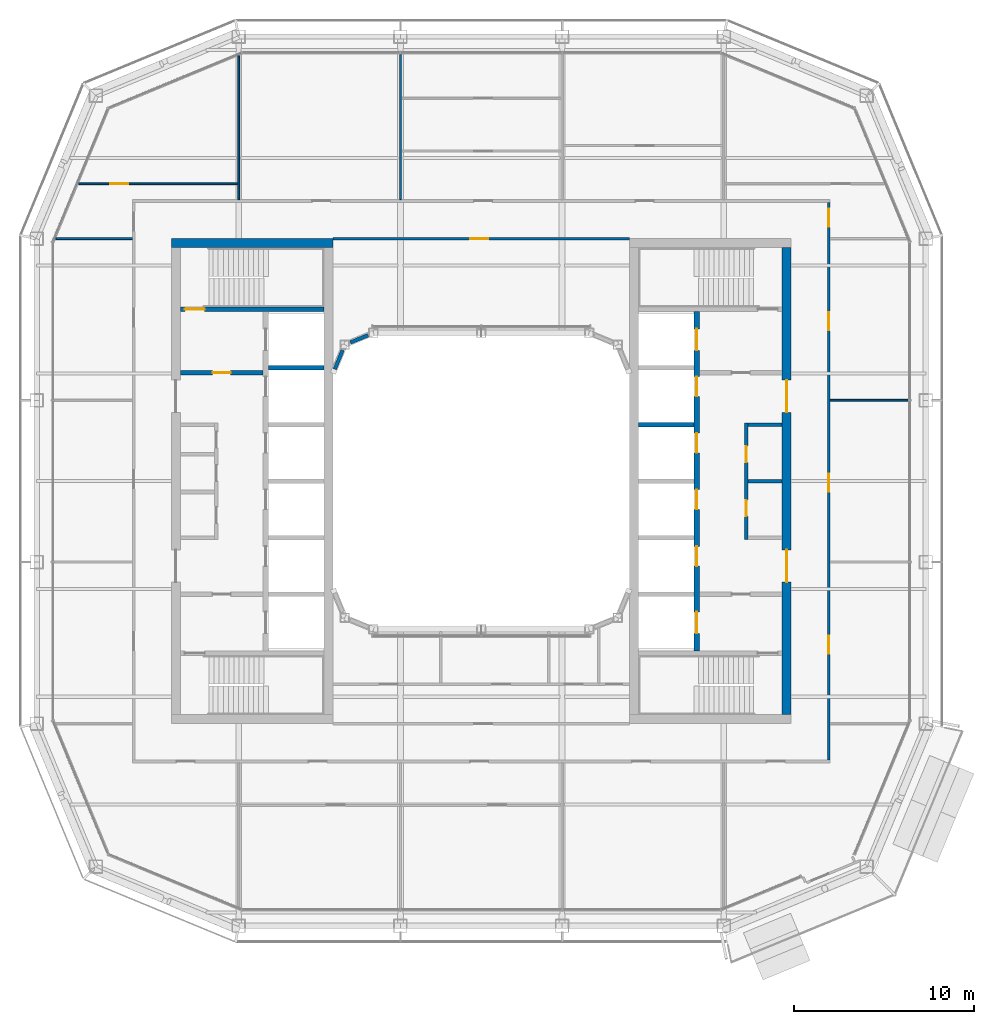
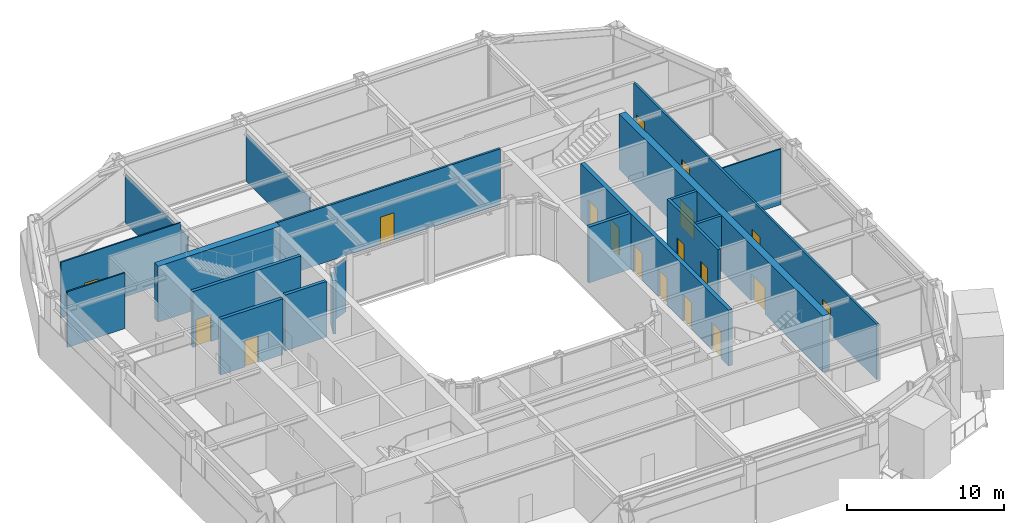
# One storey, part 12 of 21: 19 walls, 18 doors, 18 openings.
"""IFC4 building model written with IfcOpenShell, lengths in metres."""

from ifc_helpers import new_model, si_unit, direction, frame, frame_2d, origin, place, context, subcontext, project, spatial, rectangle, extrude, material, layer, layer_set, type_object, element, fill, save


model = new_model("IFC4")

# Units and contexts
model_context = context("Model", 3, precision=1e-05, world=origin(), true_north=direction((0.0, 1.0)))
body_context = subcontext(model_context, "Body", "Model", "MODEL_VIEW")
ifc_project = project(units=[si_unit("LENGTHUNIT", "METRE"), si_unit("AREAUNIT", "SQUARE_METRE"), si_unit("VOLUMEUNIT", "CUBIC_METRE"), si_unit("PLANEANGLEUNIT", "RADIAN"), si_unit("MASSUNIT", "GRAM", prefix="KILO")], contexts=[model_context])

# Site, building, storey
site_placement = place(None, origin())
site = spatial("IfcSite", under=ifc_project, at=site_placement, CompositionType="ELEMENT")
building_placement = place(site_placement, origin())
building = spatial("IfcBuilding", under=site, at=building_placement, Name="Siwar Civic Tower", CompositionType="ELEMENT")
storey_placement = place(building_placement, frame((0.0, 0.0, 303.199951171875)))
storey = spatial("IfcBuildingStorey", under=building, at=storey_placement, Name="L65", CompositionType="ELEMENT", Elevation=303.199951171875)

# Wall, openings, doors
ifc_material_1 = material(Name="Gypsum board on steel studs", Category="steel")
ifc_layer_1 = layer(ifc_material_1, 0.199951171875)
ifc_layer_set_1 = layer_set([ifc_layer_1], Name="Gypsum board on steel studs")
wall_type_1 = type_object("IfcWallType", Name="CORE-PARTITION-200", PredefinedType="PARTITIONING", material=ifc_layer_set_1)
wall_1_placement = place(storey_placement, frame((14.75, -3.25, 0.0), z_axis=(0.0, 0.0, 1.0), x_axis=(0.0, 1.0, 0.0)))
wall_1 = element("IfcWall", 1, at=wall_1_placement, inside=storey, type_object=wall_type_1, Name="Core partition E", PredefinedType="PARTITIONING", context=body_context, shape_type="SweptSolid", body=[
    extrude(rectangle(XDim=6.5, YDim=0.199951171875, at=frame_2d((3.25, 0.0))), origin(), (0.0, 0.0, 1.0), 4.35009765625),
])
opening_1_placement = place(wall_1_placement, frame((1.300048828125, 0.0, 0.0)))
opening_1 = element("IfcOpeningElement", 2, at=opening_1_placement, cuts=wall_1, Name="Opening L65-CE13", PredefinedType="OPENING", context=body_context, shape_type="SweptSolid", body=[
    extrude(rectangle(XDim=0.89990234375, YDim=2.10009765625, at=frame_2d((0.449951171875, 1.050048828125))), frame((0.0, 0.10986328125, 0.0), z_axis=(0.0, -1.0, 0.0), x_axis=(1.0, 0.0, 0.0)), (0.0, 0.0, 1.0), 0.219970703125),
])
opening_2_placement = place(wall_1_placement, frame((4.300048828125, 0.0, 0.0)))
opening_2 = element("IfcOpeningElement", 3, at=opening_2_placement, cuts=wall_1, Name="Opening L65-CE14", PredefinedType="OPENING", context=body_context, shape_type="SweptSolid", body=[
    extrude(rectangle(XDim=0.89990234375, YDim=2.10009765625, at=frame_2d((0.449951171875, 1.050048828125))), frame((0.0, 0.10986328125, 0.0), z_axis=(0.0, -1.0, 0.0), x_axis=(1.0, 0.0, 0.0)), (0.0, 0.0, 1.0), 0.219970703125),
])
ifc_material_2 = material(Name="Steel door leaf", Category="steel")
door_type_1 = type_object("IfcDoorType", Name="CORE-DOOR-ROOM", OperationType="SINGLE_SWING_LEFT", PredefinedType="DOOR", material=ifc_material_2)
door_1_placement = place(opening_1_placement, origin())
door_1 = element("IfcDoor", 4, at=door_1_placement, inside=storey, type_object=door_type_1, Name="Core room door L65-CE13", OperationType="SINGLE_SWING_RIGHT", OverallHeight=2.10009765625, OverallWidth=0.89990234375, PredefinedType="DOOR", context=body_context, shape_type="SweptSolid", body=[
    extrude(rectangle(XDim=0.89990234375, YDim=2.10009765625, at=frame_2d((0.449951171875, 1.050048828125))), frame((0.0, 0.02490234375, 0.0), z_axis=(0.0, -1.0, 0.0), x_axis=(1.0, 0.0, 0.0)), (0.0, 0.0, 1.0), 0.050048828125),
])
fill(opening_1, door_1)
door_2_placement = place(opening_2_placement, origin())
door_2 = element("IfcDoor", 5, at=door_2_placement, inside=storey, type_object=door_type_1, Name="Core room door L65-CE14", OperationType="SINGLE_SWING_LEFT", OverallHeight=2.10009765625, OverallWidth=0.89990234375, PredefinedType="DOOR", context=body_context, shape_type="SweptSolid", body=[
    extrude(rectangle(XDim=0.89990234375, YDim=2.10009765625, at=frame_2d((0.449951171875, 1.050048828125))), frame((0.0, 0.02490234375, 0.0), z_axis=(0.0, -1.0, 0.0), x_axis=(1.0, 0.0, 0.0)), (0.0, 0.0, 1.0), 0.050048828125),
])
fill(opening_2, door_2)

# Walls
for number, where, z_axis, x_axis, name in (
    (6, (14.85009765625, 3.14990234375, 0.0), (0.0, 0.0, 1.0), (1.0, 0.0, 0.0), "Core partition E"),
    (7, (14.85009765625, 0.0, 0.0), (0.0, 0.0, 1.0), (1.0, 0.0, 0.0), "Core partition E"),
):
    element("IfcWall", number, at=place(storey_placement, frame(where, z_axis=z_axis, x_axis=x_axis)), inside=storey, type_object=wall_type_1, Name=name, PredefinedType="PARTITIONING", context=body_context, shape_type="SweptSolid", body=[
        extrude(rectangle(XDim=1.89990234375, YDim=0.199951171875, at=frame_2d((0.949951171875, 0.0))), origin(), (0.0, 0.0, 1.0), 4.35009765625),
    ])

# Wall, opening, door
ifc_material_3 = material(Name="Concrete C60/75", Category="concrete")
ifc_layer_2 = layer(ifc_material_3, 0.25)
ifc_layer_set_2 = layer_set([ifc_layer_2], Name="Concrete C60/75")
wall_type_2 = type_object("IfcWallType", Name="CORE-WALL-RC250", PredefinedType="SHEAR", material=ifc_layer_set_2)
wall_2_placement = place(storey_placement, frame((-12.14990234375, 6.02490234375, 0.0), z_axis=(0.0, 0.0, 1.0), x_axis=(-1.0, 0.0, 0.0)))
wall_2 = element("IfcWall", 8, at=wall_2_placement, inside=storey, type_object=wall_type_2, Name="Core wall W", PredefinedType="SHEAR", context=body_context, shape_type="SweptSolid", body=[
    extrude(rectangle(XDim=4.60009765625, YDim=0.25, at=frame_2d((2.300048828125, 0.0))), origin(), (0.0, 0.0, 1.0), 4.35009765625),
])
opening_3_placement = place(wall_2_placement, frame((1.800048828125, 0.0, 0.0)))
opening_3 = element("IfcOpeningElement", 9, at=opening_3_placement, cuts=wall_2, Name="Opening L65-CW01", PredefinedType="OPENING", context=body_context, shape_type="SweptSolid", body=[
    extrude(rectangle(XDim=1.0, YDim=2.10009765625, at=frame_2d((0.5, 1.050048828125))), frame((0.0, 0.135009765625, 0.0), z_axis=(0.0, -1.0, 0.0), x_axis=(1.0, 0.0, 0.0)), (0.0, 0.0, 1.0), 0.27001953125),
])
ifc_material_4 = material(Name="Steel door leaf", Category="steel")
door_type_2 = type_object("IfcDoorType", Name="CORE-DOOR-FD30S", OperationType="SINGLE_SWING_LEFT", PredefinedType="DOOR", material=ifc_material_4)
door_3_placement = place(opening_3_placement, origin())
door_3 = element("IfcDoor", 10, at=door_3_placement, inside=storey, type_object=door_type_2, Name="Firefighting lobby door L65-CW01", OperationType="SINGLE_SWING_LEFT", OverallHeight=2.10009765625, OverallWidth=1.0, PredefinedType="DOOR", context=body_context, shape_type="SweptSolid", body=[
    extrude(rectangle(XDim=1.0, YDim=2.10009765625, at=frame_2d((0.5, 1.050048828125))), frame((0.0, 0.02490234375, 0.0), z_axis=(0.0, -1.0, 0.0), x_axis=(1.0, 0.0, 0.0)), (0.0, 0.0, 1.0), 0.050048828125),
])
fill(opening_3, door_3)

# Wall
wall_3_placement = place(storey_placement, frame((-8.75, 6.300048828125, 0.0), z_axis=(0.0, 0.0, 1.0), x_axis=(-1.0, 0.0, 0.0)))
element("IfcWall", 11, at=wall_3_placement, inside=storey, type_object=wall_type_2, Name="Core wall W", PredefinedType="SHEAR", context=body_context, shape_type="SweptSolid", body=[
    extrude(rectangle(XDim=3.10009765625, YDim=0.25, at=frame_2d((1.550048828125, 0.0))), origin(), (0.0, 0.0, 1.0), 4.35009765625),
])

# Wall, opening, door
wall_4_placement = place(storey_placement, frame((-8.75, 9.574951171875, 0.0), z_axis=(0.0, 0.0, 1.0), x_axis=(-1.0, 0.0, 0.0)))
wall_4 = element("IfcWall", 12, at=wall_4_placement, inside=storey, type_object=wall_type_2, Name="Core wall W", PredefinedType="SHEAR", context=body_context, shape_type="SweptSolid", body=[
    extrude(rectangle(XDim=8.0, YDim=0.25, at=frame_2d((4.0, 0.0))), origin(), (0.0, 0.0, 1.0), 4.35009765625),
])
opening_4_placement = place(wall_4_placement, frame((6.64990234375, 0.0, 0.0)))
opening_4 = element("IfcOpeningElement", 13, at=opening_4_placement, cuts=wall_4, Name="Opening L65-CW03", PredefinedType="OPENING", context=body_context, shape_type="SweptSolid", body=[
    extrude(rectangle(XDim=1.10009765625, YDim=2.10009765625, at=frame_2d((0.550048828125, 1.050048828125))), frame((0.0, 0.135009765625, 0.0), z_axis=(0.0, -1.0, 0.0), x_axis=(1.0, 0.0, 0.0)), (0.0, 0.0, 1.0), 0.27001953125),
])
ifc_material_5 = material(Name="Steel door leaf", Category="steel")
door_type_3 = type_object("IfcDoorType", Name="CORE-DOOR-FD60S", OperationType="SINGLE_SWING_LEFT", PredefinedType="DOOR", material=ifc_material_5)
door_4_placement = place(opening_4_placement, origin())
door_4 = element("IfcDoor", 14, at=door_4_placement, inside=storey, type_object=door_type_3, Name="Stair door L65-CW03", OperationType="SINGLE_SWING_RIGHT", OverallHeight=2.10009765625, OverallWidth=1.10009765625, PredefinedType="DOOR", context=body_context, shape_type="SweptSolid", body=[
    extrude(rectangle(XDim=1.10009765625, YDim=2.10009765625, at=frame_2d((0.550048828125, 1.050048828125))), frame((0.0, 0.02490234375, 0.0), z_axis=(0.0, -1.0, 0.0), x_axis=(1.0, 0.0, 0.0)), (0.0, 0.0, 1.0), 0.050048828125),
])
fill(opening_4, door_4)

# Wall
wall_5_placement = place(storey_placement, frame((8.75, 3.14990234375, 0.0), z_axis=(0.0, 0.0, 1.0), x_axis=(1.0, 0.0, 0.0)))
element("IfcWall", 15, at=wall_5_placement, inside=storey, type_object=wall_type_2, Name="Core wall E", PredefinedType="SHEAR", context=body_context, shape_type="SweptSolid", body=[
    extrude(rectangle(XDim=3.10009765625, YDim=0.25, at=frame_2d((1.550048828125, 0.0))), origin(), (0.0, 0.0, 1.0), 4.35009765625),
])

# Wall, openings, doors
ifc_material_6 = material(Name="Concrete C60/75", Category="concrete")
ifc_layer_3 = layer(ifc_material_6, 0.300048828125)
ifc_layer_set_3 = layer_set([ifc_layer_3], Name="Concrete C60/75")
wall_type_3 = type_object("IfcWallType", Name="CORE-WALL-RC300", PredefinedType="SHEAR", material=ifc_layer_set_3)
wall_6_placement = place(storey_placement, frame((12.0, -9.449951171875, 0.0), z_axis=(0.0, 0.0, 1.0), x_axis=(0.0, 1.0, 0.0)))
wall_6 = element("IfcWall", 16, at=wall_6_placement, inside=storey, type_object=wall_type_3, Name="Core wall E", PredefinedType="SHEAR", context=body_context, shape_type="SweptSolid", body=[
    extrude(rectangle(XDim=18.89990234375, YDim=0.300048828125, at=frame_2d((9.449951171875, 0.0))), origin(), (0.0, 0.0, 1.0), 4.35009765625),
])
opening_5_placement = place(wall_6_placement, frame((4.72509765625, 0.0, 0.0)))
opening_5 = element("IfcOpeningElement", 17, at=opening_5_placement, cuts=wall_6, Name="Opening L65-CE07", PredefinedType="OPENING", context=body_context, shape_type="SweptSolid", body=[
    extrude(rectangle(XDim=1.10009765625, YDim=2.10009765625, at=frame_2d((0.550048828125, 1.050048828125))), frame((0.0, 0.16015625, 0.0), z_axis=(0.0, -1.0, 0.0), x_axis=(1.0, 0.0, 0.0)), (0.0, 0.0, 1.0), 0.320068359375),
])
opening_6_placement = place(wall_6_placement, frame((7.875, 0.0, 0.0)))
opening_6 = element("IfcOpeningElement", 18, at=opening_6_placement, cuts=wall_6, Name="Opening L65-CE08", PredefinedType="OPENING", context=body_context, shape_type="SweptSolid", body=[
    extrude(rectangle(XDim=1.10009765625, YDim=2.10009765625, at=frame_2d((0.550048828125, 1.050048828125))), frame((0.0, 0.16015625, 0.0), z_axis=(0.0, -1.0, 0.0), x_axis=(1.0, 0.0, 0.0)), (0.0, 0.0, 1.0), 0.320068359375),
])
opening_7_placement = place(wall_6_placement, frame((11.02490234375, 0.0, 0.0)))
opening_7 = element("IfcOpeningElement", 19, at=opening_7_placement, cuts=wall_6, Name="Opening L65-CE09", PredefinedType="OPENING", context=body_context, shape_type="SweptSolid", body=[
    extrude(rectangle(XDim=1.10009765625, YDim=2.10009765625, at=frame_2d((0.550048828125, 1.050048828125))), frame((0.0, 0.16015625, 0.0), z_axis=(0.0, -1.0, 0.0), x_axis=(1.0, 0.0, 0.0)), (0.0, 0.0, 1.0), 0.320068359375),
])
opening_8_placement = place(wall_6_placement, frame((14.175048828125, 0.0, 0.0)))
opening_8 = element("IfcOpeningElement", 20, at=opening_8_placement, cuts=wall_6, Name="Opening L65-CE10", PredefinedType="OPENING", context=body_context, shape_type="SweptSolid", body=[
    extrude(rectangle(XDim=1.10009765625, YDim=2.10009765625, at=frame_2d((0.550048828125, 1.050048828125))), frame((0.0, 0.16015625, 0.0), z_axis=(0.0, -1.0, 0.0), x_axis=(1.0, 0.0, 0.0)), (0.0, 0.0, 1.0), 0.320068359375),
])
opening_9_placement = place(wall_6_placement, frame((16.72509765625, 0.0, 0.0)))
opening_9 = element("IfcOpeningElement", 21, at=opening_9_placement, cuts=wall_6, Name="Opening L65-CE11", PredefinedType="OPENING", context=body_context, shape_type="SweptSolid", body=[
    extrude(rectangle(XDim=1.199951171875, YDim=2.10009765625, at=frame_2d((0.60009765625, 1.050048828125))), frame((0.0, 0.16015625, 0.0), z_axis=(0.0, -1.0, 0.0), x_axis=(1.0, 0.0, 0.0)), (0.0, 0.0, 1.0), 0.320068359375),
])
opening_10_placement = place(wall_6_placement, frame((0.97509765625, 0.0, 0.0)))
opening_10 = element("IfcOpeningElement", 22, at=opening_10_placement, cuts=wall_6, Name="Opening L65-CE12", PredefinedType="OPENING", context=body_context, shape_type="SweptSolid", body=[
    extrude(rectangle(XDim=1.199951171875, YDim=2.10009765625, at=frame_2d((0.60009765625, 1.050048828125))), frame((0.0, 0.16015625, 0.0), z_axis=(0.0, -1.0, 0.0), x_axis=(1.0, 0.0, 0.0)), (0.0, 0.0, 1.0), 0.320068359375),
])
ifc_material_7 = material(Name="Steel door leaf", Category="steel")
door_type_4 = type_object("IfcDoorType", Name="CORE-DOOR-LD", OperationType="DOUBLE_DOOR_SLIDING", PredefinedType="DOOR", material=ifc_material_7)
door_5_placement = place(opening_5_placement, origin())
door_5 = element("IfcDoor", 23, at=door_5_placement, inside=storey, type_object=door_type_4, Name="Landing door HR5 L65-CE07", OperationType="DOUBLE_DOOR_SLIDING", OverallHeight=2.10009765625, OverallWidth=1.10009765625, PredefinedType="DOOR", context=body_context, shape_type="SweptSolid", body=[
    extrude(rectangle(XDim=1.10009765625, YDim=2.10009765625, at=frame_2d((0.550048828125, 1.050048828125))), frame((0.0, 0.02490234375, 0.0), z_axis=(0.0, -1.0, 0.0), x_axis=(1.0, 0.0, 0.0)), (0.0, 0.0, 1.0), 0.050048828125),
])
fill(opening_5, door_5)
door_6_placement = place(opening_6_placement, origin())
door_6 = element("IfcDoor", 24, at=door_6_placement, inside=storey, type_object=door_type_4, Name="Landing door HR6 L65-CE08", OperationType="DOUBLE_DOOR_SLIDING", OverallHeight=2.10009765625, OverallWidth=1.10009765625, PredefinedType="DOOR", context=body_context, shape_type="SweptSolid", body=[
    extrude(rectangle(XDim=1.10009765625, YDim=2.10009765625, at=frame_2d((0.550048828125, 1.050048828125))), frame((0.0, 0.02490234375, 0.0), z_axis=(0.0, -1.0, 0.0), x_axis=(1.0, 0.0, 0.0)), (0.0, 0.0, 1.0), 0.050048828125),
])
fill(opening_6, door_6)
door_7_placement = place(opening_7_placement, origin())
door_7 = element("IfcDoor", 25, at=door_7_placement, inside=storey, type_object=door_type_4, Name="Landing door HR7 L65-CE09", OperationType="DOUBLE_DOOR_SLIDING", OverallHeight=2.10009765625, OverallWidth=1.10009765625, PredefinedType="DOOR", context=body_context, shape_type="SweptSolid", body=[
    extrude(rectangle(XDim=1.10009765625, YDim=2.10009765625, at=frame_2d((0.550048828125, 1.050048828125))), frame((0.0, 0.02490234375, 0.0), z_axis=(0.0, -1.0, 0.0), x_axis=(1.0, 0.0, 0.0)), (0.0, 0.0, 1.0), 0.050048828125),
])
fill(opening_7, door_7)
door_8_placement = place(opening_8_placement, origin())
door_8 = element("IfcDoor", 26, at=door_8_placement, inside=storey, type_object=door_type_4, Name="Landing door HR8 L65-CE10", OperationType="DOUBLE_DOOR_SLIDING", OverallHeight=2.10009765625, OverallWidth=1.10009765625, PredefinedType="DOOR", context=body_context, shape_type="SweptSolid", body=[
    extrude(rectangle(XDim=1.10009765625, YDim=2.10009765625, at=frame_2d((0.550048828125, 1.050048828125))), frame((0.0, 0.02490234375, 0.0), z_axis=(0.0, -1.0, 0.0), x_axis=(1.0, 0.0, 0.0)), (0.0, 0.0, 1.0), 0.050048828125),
])
fill(opening_8, door_8)
ifc_material_8 = material(Name="Steel door leaf", Category="steel")
door_type_5 = type_object("IfcDoorType", Name="CORE-DOOR-LDW", OperationType="DOUBLE_DOOR_SLIDING", PredefinedType="DOOR", material=ifc_material_8)
door_9_placement = place(opening_9_placement, origin())
door_9 = element("IfcDoor", 27, at=door_9_placement, inside=storey, type_object=door_type_5, Name="Landing door FF2 L65-CE11", OperationType="DOUBLE_DOOR_SLIDING", OverallHeight=2.10009765625, OverallWidth=1.199951171875, PredefinedType="DOOR", context=body_context, shape_type="SweptSolid", body=[
    extrude(rectangle(XDim=1.199951171875, YDim=2.10009765625, at=frame_2d((0.60009765625, 1.050048828125))), frame((0.0, 0.02490234375, 0.0), z_axis=(0.0, -1.0, 0.0), x_axis=(1.0, 0.0, 0.0)), (0.0, 0.0, 1.0), 0.050048828125),
])
fill(opening_9, door_9)
door_10_placement = place(opening_10_placement, origin())
door_10 = element("IfcDoor", 28, at=door_10_placement, inside=storey, type_object=door_type_5, Name="Landing door SV2 L65-CE12", OperationType="DOUBLE_DOOR_SLIDING", OverallHeight=2.10009765625, OverallWidth=1.199951171875, PredefinedType="DOOR", context=body_context, shape_type="SweptSolid", body=[
    extrude(rectangle(XDim=1.199951171875, YDim=2.10009765625, at=frame_2d((0.60009765625, 1.050048828125))), frame((0.0, 0.02490234375, 0.0), z_axis=(0.0, -1.0, 0.0), x_axis=(1.0, 0.0, 0.0)), (0.0, 0.0, 1.0), 0.050048828125),
])
fill(opening_10, door_10)

# Wall
ifc_material_9 = material(Name="Concrete C60/75", Category="concrete")
ifc_layer_4 = layer(ifc_material_9, 0.5)
ifc_layer_set_4 = layer_set([ifc_layer_4], Name="Concrete C60/75")
wall_type_4 = type_object("IfcWallType", Name="CORE-WALL-RC500", PredefinedType="SHEAR", material=ifc_layer_set_4)
wall_7_placement = place(storey_placement, frame((-8.25, 13.25, 0.0), z_axis=(0.0, 0.0, 1.0), x_axis=(-1.0, 0.0, 0.0)))
element("IfcWall", 29, at=wall_7_placement, inside=storey, type_object=wall_type_4, Name="Core wall W", PredefinedType="SHEAR", context=body_context, shape_type="SweptSolid", body=[
    extrude(rectangle(XDim=9.0, YDim=0.5, at=frame_2d((4.5, 0.0))), origin(), (0.0, 0.0, 1.0), 4.35009765625),
])

# Wall, openings, doors
wall_8_placement = place(storey_placement, frame((17.0, -13.0, 0.0), z_axis=(0.0, 0.0, 1.0), x_axis=(0.0, 1.0, 0.0)))
wall_8 = element("IfcWall", 30, at=wall_8_placement, inside=storey, type_object=wall_type_4, Name="Core wall E", PredefinedType="SHEAR", context=body_context, shape_type="SweptSolid", body=[
    extrude(rectangle(XDim=26.0, YDim=0.5, at=frame_2d((13.0, 0.0))), origin(), (0.0, 0.0, 1.0), 4.35009765625),
])
opening_11_placement = place(wall_8_placement, frame((16.824951171875, 0.0, 0.0)))
opening_11 = element("IfcOpeningElement", 31, at=opening_11_placement, cuts=wall_8, Name="Opening L65-CE05", PredefinedType="OPENING", context=body_context, shape_type="SweptSolid", body=[
    extrude(rectangle(XDim=1.800048828125, YDim=2.10009765625, at=frame_2d((0.89990234375, 1.050048828125))), frame((0.0, 0.260009765625, 0.0), z_axis=(0.0, -1.0, 0.0), x_axis=(1.0, 0.0, 0.0)), (0.0, 0.0, 1.0), 0.52001953125),
])
opening_12_placement = place(wall_8_placement, frame((7.375, 0.0, 0.0)))
opening_12 = element("IfcOpeningElement", 32, at=opening_12_placement, cuts=wall_8, Name="Opening L65-CE06", PredefinedType="OPENING", context=body_context, shape_type="SweptSolid", body=[
    extrude(rectangle(XDim=1.800048828125, YDim=2.10009765625, at=frame_2d((0.89990234375, 1.050048828125))), frame((0.0, 0.260009765625, 0.0), z_axis=(0.0, -1.0, 0.0), x_axis=(1.0, 0.0, 0.0)), (0.0, 0.0, 1.0), 0.52001953125),
])
ifc_material_10 = material(Name="Steel door leaf", Category="steel")
door_type_6 = type_object("IfcDoorType", Name="CORE-DOOR-PORT", OperationType="DOUBLE_DOOR_DOUBLE_SWING", PredefinedType="DOOR", material=ifc_material_10)
door_11_placement = place(opening_11_placement, origin())
door_11 = element("IfcDoor", 33, at=door_11_placement, inside=storey, type_object=door_type_6, Name="Core entrance door L65-CE05", OperationType="DOUBLE_DOOR_DOUBLE_SWING", OverallHeight=2.10009765625, OverallWidth=1.800048828125, PredefinedType="DOOR", context=body_context, shape_type="SweptSolid", body=[
    extrude(rectangle(XDim=1.800048828125, YDim=2.10009765625, at=frame_2d((0.89990234375, 1.050048828125))), frame((0.0, 0.02490234375, 0.0), z_axis=(0.0, -1.0, 0.0), x_axis=(1.0, 0.0, 0.0)), (0.0, 0.0, 1.0), 0.050048828125),
])
fill(opening_11, door_11)
door_12_placement = place(opening_12_placement, origin())
door_12 = element("IfcDoor", 34, at=door_12_placement, inside=storey, type_object=door_type_6, Name="Core entrance door L65-CE06", OperationType="DOUBLE_DOOR_DOUBLE_SWING", OverallHeight=2.10009765625, OverallWidth=1.800048828125, PredefinedType="DOOR", context=body_context, shape_type="SweptSolid", body=[
    extrude(rectangle(XDim=1.800048828125, YDim=2.10009765625, at=frame_2d((0.89990234375, 1.050048828125))), frame((0.0, 0.02490234375, 0.0), z_axis=(0.0, -1.0, 0.0), x_axis=(1.0, 0.0, 0.0)), (0.0, 0.0, 1.0), 0.050048828125),
])
fill(opening_12, door_12)

# Wall, opening, door
ifc_material_11 = material(Name="Gypsum board on steel studs", Category="steel")
ifc_layer_5 = layer(ifc_material_11, 0.14990234375)
ifc_layer_set_5 = layer_set([ifc_layer_5], Name="Gypsum board on steel studs")
wall_type_5 = type_object("IfcWallType", Name="CORRIDOR PARTITION 150 EI 30", PredefinedType="PARTITIONING", material=ifc_layer_set_5)
wall_9_placement = place(storey_placement, frame((-8.25, 13.5, 0.0), z_axis=(0.0, 0.0, 1.0), x_axis=(1.0, 0.0, 0.0)))
wall_9 = element("IfcWall", 35, at=wall_9_placement, inside=storey, type_object=wall_type_5, Name="L65/wall/P14", PredefinedType="PARTITIONING", context=body_context, shape_type="SweptSolid", body=[
    extrude(rectangle(XDim=16.5, YDim=0.14990234375, at=frame_2d((8.25, 0.0))), origin(), (0.0, 0.0, 1.0), 4.35009765625),
])
opening_13_placement = place(wall_9_placement, frame((7.64990234375, 0.0, 0.0)))
opening_13 = element("IfcOpeningElement", 36, at=opening_13_placement, cuts=wall_9, Name="Opening D1", PredefinedType="OPENING", context=body_context, shape_type="SweptSolid", body=[
    extrude(rectangle(XDim=1.0, YDim=2.10009765625, at=frame_2d((0.5, 1.050048828125))), frame((0.0, 0.0849609375, 0.0), z_axis=(0.0, -1.0, 0.0), x_axis=(1.0, 0.0, 0.0)), (0.0, 0.0, 1.0), 0.169921875),
])
ifc_material_12 = material(Name="Timber, painted", Category="wood")
door_type_7 = type_object("IfcDoorType", Name="DOOR 1000 X 2100 FD30", OperationType="SINGLE_SWING_LEFT", PredefinedType="DOOR", material=ifc_material_12)
door_13_placement = place(opening_13_placement, origin())
door_13 = element("IfcDoor", 37, at=door_13_placement, inside=storey, type_object=door_type_7, Name="L65-D24", OperationType="SINGLE_SWING_RIGHT", OverallHeight=2.10009765625, OverallWidth=1.0, PredefinedType="DOOR", context=body_context, shape_type="SweptSolid", body=[
    extrude(rectangle(XDim=1.0, YDim=2.10009765625, at=frame_2d((0.5, 1.050048828125))), frame((0.0, 0.02490234375, 0.0), z_axis=(0.0, -1.0, 0.0), x_axis=(1.0, 0.0, 0.0)), (0.0, 0.0, 1.0), 0.050048828125),
])
fill(opening_13, door_13)

# Wall, openings, doors
wall_10_placement = place(storey_placement, frame((19.35009765625, -15.52490234375, 0.0), z_axis=(0.0, 0.0, 1.0), x_axis=(0.0, 1.0, 0.0)))
wall_10 = element("IfcWall", 38, at=wall_10_placement, inside=storey, type_object=wall_type_5, Name="L65/wall/P34", PredefinedType="PARTITIONING", context=body_context, shape_type="SweptSolid", body=[
    extrude(rectangle(XDim=31.0498046875, YDim=0.14990234375, at=frame_2d((15.52490234375, 0.0))), origin(), (0.0, 0.0, 1.0), 4.35009765625),
])
opening_14_placement = place(wall_10_placement, frame((29.675048828125, 0.0, 0.0)))
opening_14 = element("IfcOpeningElement", 39, at=opening_14_placement, cuts=wall_10, Name="Opening D1", PredefinedType="OPENING", context=body_context, shape_type="SweptSolid", body=[
    extrude(rectangle(XDim=1.0, YDim=2.10009765625, at=frame_2d((0.5, 1.050048828125))), frame((0.0, 0.0849609375, 0.0), z_axis=(0.0, -1.0, 0.0), x_axis=(1.0, 0.0, 0.0)), (0.0, 0.0, 1.0), 0.169921875),
])
opening_15_placement = place(wall_10_placement, frame((5.925048828125, 0.0, 0.0)))
opening_15 = element("IfcOpeningElement", 40, at=opening_15_placement, cuts=wall_10, Name="Opening D1", PredefinedType="OPENING", context=body_context, shape_type="SweptSolid", body=[
    extrude(rectangle(XDim=1.0, YDim=2.10009765625, at=frame_2d((0.5, 1.050048828125))), frame((0.0, 0.0849609375, 0.0), z_axis=(0.0, -1.0, 0.0), x_axis=(1.0, 0.0, 0.0)), (0.0, 0.0, 1.0), 0.169921875),
])
opening_16_placement = place(wall_10_placement, frame((14.925048828125, 0.0, 0.0)))
opening_16 = element("IfcOpeningElement", 41, at=opening_16_placement, cuts=wall_10, Name="Opening D1", PredefinedType="OPENING", context=body_context, shape_type="SweptSolid", body=[
    extrude(rectangle(XDim=1.0, YDim=2.10009765625, at=frame_2d((0.5, 1.050048828125))), frame((0.0, 0.0849609375, 0.0), z_axis=(0.0, -1.0, 0.0), x_axis=(1.0, 0.0, 0.0)), (0.0, 0.0, 1.0), 0.169921875),
])
opening_17_placement = place(wall_10_placement, frame((23.925048828125, 0.0, 0.0)))
opening_17 = element("IfcOpeningElement", 42, at=opening_17_placement, cuts=wall_10, Name="Opening D1", PredefinedType="OPENING", context=body_context, shape_type="SweptSolid", body=[
    extrude(rectangle(XDim=1.0, YDim=2.10009765625, at=frame_2d((0.5, 1.050048828125))), frame((0.0, 0.0849609375, 0.0), z_axis=(0.0, -1.0, 0.0), x_axis=(1.0, 0.0, 0.0)), (0.0, 0.0, 1.0), 0.169921875),
])
door_14_placement = place(opening_14_placement, origin())
door_14 = element("IfcDoor", 43, at=door_14_placement, inside=storey, type_object=door_type_7, Name="L65-D14", OperationType="SINGLE_SWING_RIGHT", OverallHeight=2.10009765625, OverallWidth=1.0, PredefinedType="DOOR", context=body_context, shape_type="SweptSolid", body=[
    extrude(rectangle(XDim=1.0, YDim=2.10009765625, at=frame_2d((0.5, 1.050048828125))), frame((0.0, 0.02490234375, 0.0), z_axis=(0.0, -1.0, 0.0), x_axis=(1.0, 0.0, 0.0)), (0.0, 0.0, 1.0), 0.050048828125),
])
fill(opening_14, door_14)
door_15_placement = place(opening_15_placement, origin())
door_15 = element("IfcDoor", 44, at=door_15_placement, inside=storey, type_object=door_type_7, Name="L65-D21", OperationType="SINGLE_SWING_LEFT", OverallHeight=2.10009765625, OverallWidth=1.0, PredefinedType="DOOR", context=body_context, shape_type="SweptSolid", body=[
    extrude(rectangle(XDim=1.0, YDim=2.10009765625, at=frame_2d((0.5, 1.050048828125))), frame((0.0, 0.02490234375, 0.0), z_axis=(0.0, -1.0, 0.0), x_axis=(1.0, 0.0, 0.0)), (0.0, 0.0, 1.0), 0.050048828125),
])
fill(opening_15, door_15)
door_16_placement = place(opening_16_placement, origin())
door_16 = element("IfcDoor", 45, at=door_16_placement, inside=storey, type_object=door_type_7, Name="L65-D22", OperationType="SINGLE_SWING_RIGHT", OverallHeight=2.10009765625, OverallWidth=1.0, PredefinedType="DOOR", context=body_context, shape_type="SweptSolid", body=[
    extrude(rectangle(XDim=1.0, YDim=2.10009765625, at=frame_2d((0.5, 1.050048828125))), frame((0.0, 0.02490234375, 0.0), z_axis=(0.0, -1.0, 0.0), x_axis=(1.0, 0.0, 0.0)), (0.0, 0.0, 1.0), 0.050048828125),
])
fill(opening_16, door_16)
door_17_placement = place(opening_17_placement, origin())
door_17 = element("IfcDoor", 46, at=door_17_placement, inside=storey, type_object=door_type_7, Name="L65-D23", OperationType="SINGLE_SWING_LEFT", OverallHeight=2.10009765625, OverallWidth=1.0, PredefinedType="DOOR", context=body_context, shape_type="SweptSolid", body=[
    extrude(rectangle(XDim=1.0, YDim=2.10009765625, at=frame_2d((0.5, 1.050048828125))), frame((0.0, 0.02490234375, 0.0), z_axis=(0.0, -1.0, 0.0), x_axis=(1.0, 0.0, 0.0)), (0.0, 0.0, 1.0), 0.050048828125),
])
fill(opening_17, door_17)

# Walls
ifc_material_13 = material(Name="Aluminium clad insulated panel", Category="aluminium")
ifc_layer_6 = layer(ifc_material_13, 0.199951171875)
ifc_layer_set_6 = layer_set([ifc_layer_6], Name="Aluminium clad insulated panel")
wall_type_6 = type_object("IfcWallType", Name="ENV-WALL-WELL", PredefinedType="STANDARD", material=ifc_layer_set_6)
wall_11_placement = place(storey_placement, frame((-6.3017578125, 8.125, 0.0), z_axis=(0.0, 0.0, 1.0), x_axis=(-0.923919409248, -0.382587147216, 0.0)))
element("IfcWall", 47, at=wall_11_placement, inside=storey, type_object=wall_type_6, Name="Light well corner wall NW1", PredefinedType="STANDARD", context=body_context, shape_type="SweptSolid", body=[
    extrude(rectangle(XDim=1.06884765625, YDim=0.199951171875, at=frame_2d((0.534423828125, 0.0))), origin(), (0.0, 0.0, 1.0), 4.010009765625),
])
wall_12_placement = place(storey_placement, frame((-7.716064453125, 7.289306640625, 0.0), z_axis=(0.0, 0.0, 1.0), x_axis=(-0.382571404949, -0.923925927829, 0.0)))
element("IfcWall", 48, at=wall_12_placement, inside=storey, type_object=wall_type_6, Name="Light well corner wall NW2", PredefinedType="STANDARD", context=body_context, shape_type="SweptSolid", body=[
    extrude(rectangle(XDim=1.1455078125, YDim=0.199951171875, at=frame_2d((0.57275390625, 0.0))), origin(), (0.0, 0.0, 1.0), 4.010009765625),
])
ifc_material_14 = material(Name="Gypsum board on steel studs", Category="steel")
ifc_layer_7 = layer(ifc_material_14, 0.10009765625)
ifc_layer_set_7 = layer_set([ifc_layer_7], Name="Gypsum board on steel studs")
wall_type_7 = type_object("IfcWallType", Name="PARTITION 100 GYPSUM", PredefinedType="PARTITIONING", material=ifc_layer_set_7)
wall_13_placement = place(storey_placement, frame((19.425048828125, 4.5, 0.0), z_axis=(0.0, 0.0, 1.0), x_axis=(1.0, 0.0, 0.0)))
element("IfcWall", 49, at=wall_13_placement, inside=storey, type_object=wall_type_7, Name="L65/wall/P11", PredefinedType="PARTITIONING", context=body_context, shape_type="SweptSolid", body=[
    extrude(rectangle(XDim=4.3349609375, YDim=0.10009765625, at=frame_2d((2.16748046875, 0.0))), origin(), (0.0, 0.0, 1.0), 4.35009765625),
])
wall_14_placement = place(storey_placement, frame((-23.677978515625, 13.5, 0.0), z_axis=(0.0, 0.0, 1.0), x_axis=(1.0, 0.0, 0.0)))
element("IfcWall", 50, at=wall_14_placement, inside=storey, type_object=wall_type_7, Name="L65/wall/P12", PredefinedType="PARTITIONING", context=body_context, shape_type="SweptSolid", body=[
    extrude(rectangle(XDim=4.2529296875, YDim=0.10009765625, at=frame_2d((2.12646484375, 0.0))), origin(), (0.0, 0.0, 1.0), 4.35009765625),
])

# Wall, opening, door
wall_15_placement = place(storey_placement, frame((-22.4130859375, 16.552978515625, 0.0), z_axis=(0.0, 0.0, 1.0), x_axis=(1.0, 0.0, 0.0)))
wall_15 = element("IfcWall", 51, at=wall_15_placement, inside=storey, type_object=wall_type_7, Name="L65/wall/P16", PredefinedType="PARTITIONING", context=body_context, shape_type="SweptSolid", body=[
    extrude(rectangle(XDim=8.863037109375, YDim=0.10009765625, at=frame_2d((4.431640625, 0.0))), origin(), (0.0, 0.0, 1.0), 4.35009765625),
])
opening_18_placement = place(wall_15_placement, frame((1.762939453125, 0.0, 0.0)))
opening_18 = element("IfcOpeningElement", 52, at=opening_18_placement, cuts=wall_15, Name="Opening D2", PredefinedType="OPENING", context=body_context, shape_type="SweptSolid", body=[
    extrude(rectangle(XDim=1.0, YDim=2.10009765625, at=frame_2d((0.5, 1.050048828125))), frame((0.0, 0.06005859375, 0.0), z_axis=(0.0, -1.0, 0.0), x_axis=(1.0, 0.0, 0.0)), (0.0, 0.0, 1.0), 0.1201171875),
])
ifc_material_15 = material(Name="Timber, painted", Category="wood")
door_type_8 = type_object("IfcDoorType", Name="DOOR 1000 X 2100", OperationType="SINGLE_SWING_LEFT", PredefinedType="DOOR", material=ifc_material_15)
door_18_placement = place(opening_18_placement, origin())
door_18 = element("IfcDoor", 53, at=door_18_placement, inside=storey, type_object=door_type_8, Name="L65-D13", OperationType="SINGLE_SWING_RIGHT", OverallHeight=2.10009765625, OverallWidth=1.0, PredefinedType="DOOR", context=body_context, shape_type="SweptSolid", body=[
    extrude(rectangle(XDim=1.0, YDim=2.10009765625, at=frame_2d((0.5, 1.050048828125))), frame((0.0, 0.02490234375, 0.0), z_axis=(0.0, -1.0, 0.0), x_axis=(1.0, 0.0, 0.0)), (0.0, 0.0, 1.0), 0.050048828125),
])
fill(opening_18, door_18)

# Walls
wall_16_placement = place(storey_placement, frame((-13.5, 15.675048828125, 0.0), z_axis=(0.0, 0.0, 1.0), x_axis=(0.0, 1.0, 0.0)))
element("IfcWall", 54, at=wall_16_placement, inside=storey, type_object=wall_type_7, Name="L65/wall/P23", PredefinedType="PARTITIONING", context=body_context, shape_type="SweptSolid", body=[
    extrude(rectangle(XDim=8.0029296875, YDim=0.10009765625, at=frame_2d((4.00146484375, 0.0))), origin(), (0.0, 0.0, 1.0), 3.75),
])
wall_17_placement = place(storey_placement, frame((-4.5, 15.675048828125, 0.0), z_axis=(0.0, 0.0, 1.0), x_axis=(0.0, 1.0, 0.0)))
element("IfcWall", 55, at=wall_17_placement, inside=storey, type_object=wall_type_7, Name="L65/wall/P26", PredefinedType="PARTITIONING", context=body_context, shape_type="SweptSolid", body=[
    extrude(rectangle(XDim=8.0849609375, YDim=0.10009765625, at=frame_2d((4.04248046875, 0.0))), origin(), (0.0, 0.0, 1.0), 3.650146484375),
])

save(model, "model.ifc")
